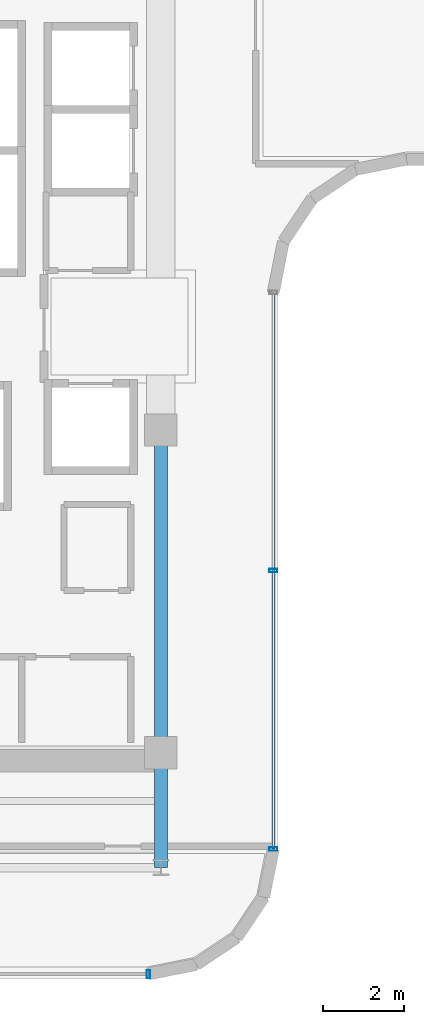
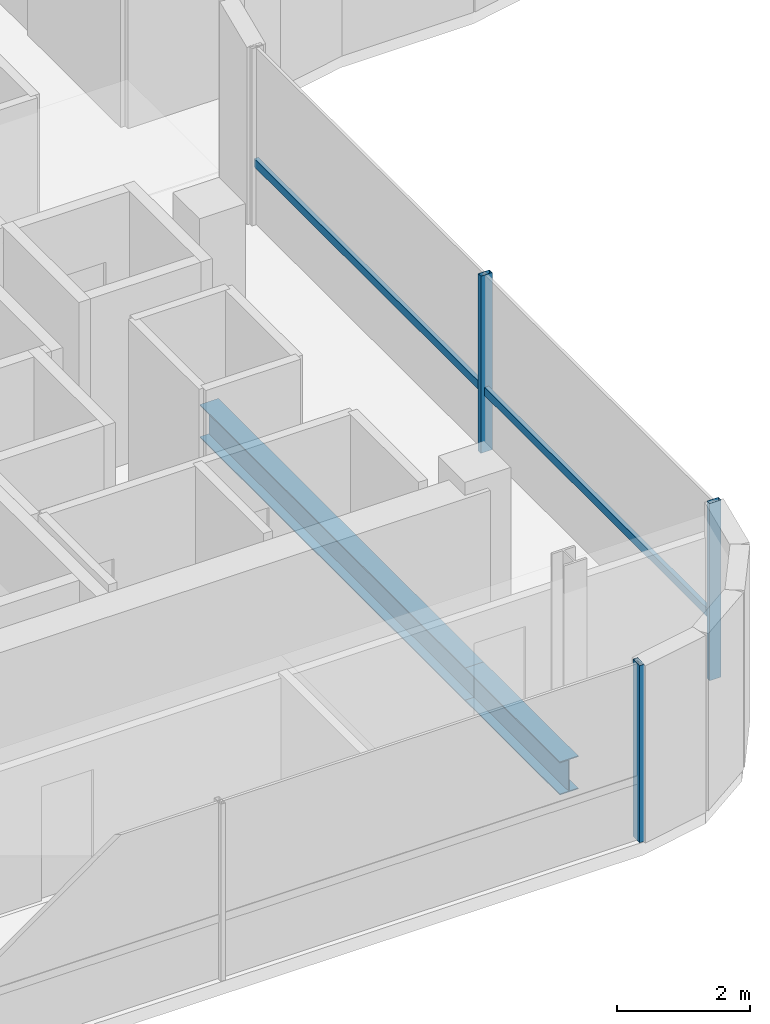
# One storey, part 5 of 18: 4 members, 2 beams, 2 elements without a shape of their own.
"""IFC4 building model written with IfcOpenShell, lengths in metres."""

from ifc_helpers import new_model, si_unit, direction, frame, origin, origin_2d, place, context, subcontext, project, spatial, hollow_rectangle, i_section, extrude, source, transform, mapped, material, material_profile, profile_set, type_object, element, aggregate, save


model = new_model("IFC4")

# Units and contexts
model_context = context("Model", 3, precision=1e-05, world=origin(), true_north=direction((0.0, 1.0)))
body_context = subcontext(model_context, "Body", "Model", "MODEL_VIEW")
ifc_project = project(units=[si_unit("LENGTHUNIT", "METRE"), si_unit("AREAUNIT", "SQUARE_METRE"), si_unit("VOLUMEUNIT", "CUBIC_METRE"), si_unit("PLANEANGLEUNIT", "RADIAN"), si_unit("MASSUNIT", "GRAM", prefix="KILO")], contexts=[model_context])

# Site, building, storey
site_placement = place(None, origin())
site = spatial("IfcSite", under=ifc_project, at=site_placement, CompositionType="ELEMENT")
building_placement = place(site_placement, origin())
building = spatial("IfcBuilding", under=site, at=building_placement, Name="Valdorenza Pilgrim Sanctuary Tower", CompositionType="ELEMENT")
storey_placement = place(building_placement, frame((0.0, 0.0, 273.0)))
storey = spatial("IfcBuildingStorey", under=building, at=storey_placement, Name="L71", CompositionType="ELEMENT", Elevation=273.0)

# Beams
ifc_material_1 = material(Name="Steel ASTM A992 Grade 50", Category="steel")
ifc_material_profile_1 = material_profile(ifc_material_1, i_section(OverallWidth=0.323974609375, OverallDepth=0.611083984375, WebThickness=0.0126953125, FlangeThickness=0.01904296875, at=origin_2d()), Name="W24X104")
ifc_profile_set_1 = profile_set([ifc_material_profile_1], Name="Steel ASTM A992 Grade 50")
beam_type = type_object("IfcBeamType", Name="STR-BM-GRD-W24B", PredefinedType="BEAM", material=ifc_profile_set_1)
shared_shape_1 = source(origin(), body_context, "Body", "SweptSolid", [
    extrude(i_section(OverallWidth=0.323974609375, OverallDepth=0.611083984375, WebThickness=0.0126953125, FlangeThickness=0.01904296875, at=origin_2d()), origin(), (0.0, 0.0, 1.0), 8.0),
])
beam_1_placement = place(storey_placement, frame((-12.39990234375, -10.60009765625, -0.54541015625), z_axis=(0.0, 1.0, 0.0), x_axis=(-1.0, 0.0, 0.0)))
element("IfcBeam", 1, at=beam_1_placement, inside=storey, type_object=beam_type, Name="L71 Core Tie Girder CA-E-S1M0", PredefinedType="BEAM", context=body_context, shape_type="MappedRepresentation", body=[
    mapped(shared_shape_1, transform((0.0, 0.0, 0.0), x_axis=(1.0, 0.0, 0.0), y_axis=(0.0, 1.0, 0.0), z_axis=(0.0, 0.0, 1.0), scale=1.0)),
])
shared_shape_2 = source(origin(), body_context, "Body", "SweptSolid", [
    extrude(i_section(OverallWidth=0.323974609375, OverallDepth=0.611083984375, WebThickness=0.0126953125, FlangeThickness=0.01904296875, at=origin_2d()), origin(), (0.0, 0.0, 1.0), 2.849853515625),
])
beam_2_placement = place(storey_placement, frame((-12.39990234375, -13.449951171875, -0.54541015625), z_axis=(0.0, 1.0, 0.0), x_axis=(-1.0, 0.0, 0.0)))
element("IfcBeam", 2, at=beam_2_placement, inside=storey, type_object=beam_type, Name="L71 Floor Girder WA-S-LE", PredefinedType="BEAM", context=body_context, shape_type="MappedRepresentation", body=[
    mapped(shared_shape_2, transform((0.0, 0.0, 0.0), x_axis=(1.0, 0.0, 0.0), y_axis=(0.0, 1.0, 0.0), z_axis=(0.0, 0.0, 1.0), scale=1.0)),
])

# Curtain wall, members
ifc_material_2 = material(Name="Curtain-wall IGU glazing", Category="glass")
curtain_wall_type = type_object("IfcCurtainWallType", Name="CW-SYS-02", PredefinedType="NOTDEFINED", material=ifc_material_2)
curtain_wall_1_placement = place(storey_placement, origin())
curtain_wall_1 = element("IfcCurtainWall", 3, at=curtain_wall_1_placement, inside=storey, type_object=curtain_wall_type, Name="L71 Curtain Wall CW-L71-1-21", PredefinedType="NOTDEFINED")
ifc_material_3 = material(Name="Anodised aluminium AW-6060", Category="aluminium")
ifc_material_profile_2 = material_profile(ifc_material_3, hollow_rectangle(XDim=0.0849609375, YDim=0.199951171875, WallThickness=0.0048828125, at=origin_2d()), Name="ALU-M 200x85x5")
ifc_profile_set_2 = profile_set([ifc_material_profile_2], Name="Anodised aluminium AW-6060")
member_type_1 = type_object("IfcMemberType", Name="CW-MUL-02", PredefinedType="MULLION", material=ifc_profile_set_2)
shared_shape_3 = source(origin(), body_context, "Body", "SweptSolid", [
    extrude(hollow_rectangle(XDim=0.0849609375, YDim=0.199951171875, WallThickness=0.0048828125, at=origin_2d()), origin(), (0.0, 0.0, 1.0), 3.260009765625),
])
member_1_placement = place(storey_placement, frame((-9.610107421875, -6.089111328125, 0.0), z_axis=(0.0, 0.0, 1.0), x_axis=(0.0, -1.0, 0.0)))
member_1 = element("IfcMember", 4, at=member_1_placement, type_object=member_type_1, Name="CW-L71-1-21 Mullion 2", PredefinedType="MULLION", context=body_context, shape_type="MappedRepresentation", body=[
    mapped(shared_shape_3, transform((0.0, 0.0, 0.0), x_axis=(1.0, 0.0, 0.0), y_axis=(0.0, 1.0, 0.0), z_axis=(0.0, 0.0, 1.0), scale=1.0)),
])
member_2_placement = place(storey_placement, frame((-9.610107421875, -12.9892578125, 0.0), z_axis=(0.0, 0.0, 1.0), x_axis=(0.0, -1.0, 0.0)))
member_2 = element("IfcMember", 5, at=member_2_placement, type_object=member_type_1, Name="CW-L71-1-21 Mullion 3", PredefinedType="MULLION", context=body_context, shape_type="MappedRepresentation", body=[
    mapped(shared_shape_3, transform((0.0, 0.0, 0.0), x_axis=(1.0, 0.0, 0.0), y_axis=(0.0, 1.0, 0.0), z_axis=(0.0, 0.0, 1.0), scale=1.0)),
])

# Curtain wall, member
curtain_wall_2_placement = place(storey_placement, origin())
curtain_wall_2 = element("IfcCurtainWall", 6, at=curtain_wall_2_placement, inside=storey, type_object=curtain_wall_type, Name="L71 Curtain Wall CW-L71-1-26", PredefinedType="NOTDEFINED")
member_3_placement = place(storey_placement, frame((-12.710693359375, -16.090087890625, 0.0), z_axis=(0.0, 0.0, 1.0), x_axis=(-1.0, 0.0, 0.0)))
member_3 = element("IfcMember", 7, at=member_3_placement, type_object=member_type_1, Name="CW-L71-1-26 Mullion 1", PredefinedType="MULLION", context=body_context, shape_type="MappedRepresentation", body=[
    mapped(shared_shape_3, transform((0.0, 0.0, 0.0), x_axis=(1.0, 0.0, 0.0), y_axis=(0.0, 1.0, 0.0), z_axis=(0.0, 0.0, 1.0), scale=1.0)),
])
aggregate(curtain_wall_2, [member_3])

# Member
ifc_material_profile_3 = material_profile(ifc_material_3, hollow_rectangle(XDim=0.074951171875, YDim=0.14990234375, WallThickness=0.00390625, at=origin_2d()), Name="ALU-T 150x75x4")
ifc_profile_set_3 = profile_set([ifc_material_profile_3], Name="Anodised aluminium AW-6060")
member_type_2 = type_object("IfcMemberType", Name="CW-TRN-02", PredefinedType="USERDEFINED", material=ifc_profile_set_3)
shared_shape_4 = source(origin(), body_context, "Body", "SweptSolid", [
    extrude(hollow_rectangle(XDim=0.074951171875, YDim=0.14990234375, WallThickness=0.00390625, at=origin_2d()), origin(), (0.0, 0.0, 1.0), 13.800048828125),
])
member_4_placement = place(storey_placement, frame((-9.610107421875, 0.810791015625, 1.1201171875), z_axis=(0.0, -1.0, 0.0), x_axis=(1.0, 0.0, 0.0)))
member_4 = element("IfcMember", 8, at=member_4_placement, type_object=member_type_2, Name="CW-L71-1-21 Transom 1", ObjectType="TRANSOM", PredefinedType="USERDEFINED", context=body_context, shape_type="MappedRepresentation", body=[
    mapped(shared_shape_4, transform((0.0, 0.0, 0.0), x_axis=(1.0, 0.0, 0.0), y_axis=(0.0, 1.0, 0.0), z_axis=(0.0, 0.0, 1.0), scale=1.0)),
])

aggregate(curtain_wall_1, [member_1, member_2, member_4])

save(model, "model.ifc")
